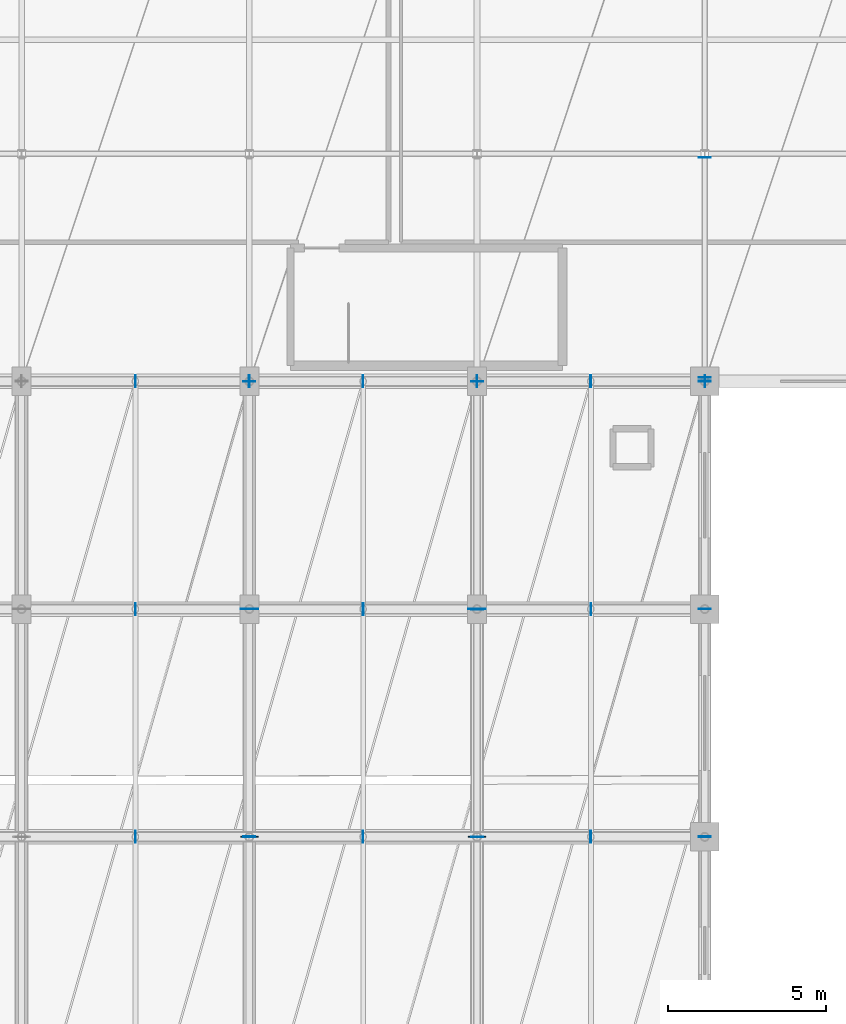
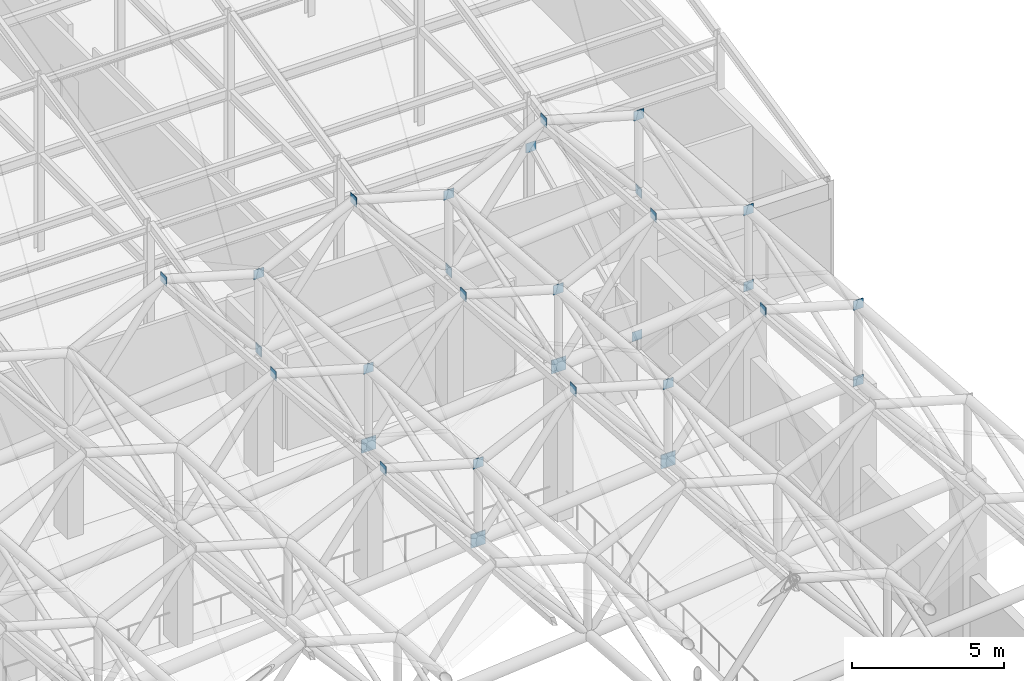
# One storey, part 82 of 113: 29 plates.
"""IFC4 building model written with IfcOpenShell, lengths in metres."""

from ifc_helpers import new_model, si_unit, direction, frame, origin, origin_2d, place, context, subcontext, project, spatial, rectangle, extrude, material, layer, layer_set, type_object, element, save


model = new_model("IFC4")

# Units and contexts
model_context = context("Model", 3, precision=1e-05, world=origin(), true_north=direction((0.0, 1.0)))
body_context = subcontext(model_context, "Body", "Model", "MODEL_VIEW")
ifc_project = project(units=[si_unit("LENGTHUNIT", "METRE"), si_unit("AREAUNIT", "SQUARE_METRE"), si_unit("VOLUMEUNIT", "CUBIC_METRE"), si_unit("PLANEANGLEUNIT", "RADIAN"), si_unit("MASSUNIT", "GRAM", prefix="KILO")], contexts=[model_context])

# Site, building, storey
site_placement = place(None, origin())
site = spatial("IfcSite", under=ifc_project, at=site_placement, CompositionType="ELEMENT")
building_placement = place(site_placement, origin())
building = spatial("IfcBuilding", under=site, at=building_placement, Name="Carrowvane Square Congress Hotel", CompositionType="ELEMENT")
storey_placement = place(building_placement, frame((0.0, 0.0, 15.0)))
storey = spatial("IfcBuildingStorey", under=building, at=storey_placement, Name="L03", CompositionType="ELEMENT", Elevation=15.0)

# Plates
ifc_material_1 = material(Name="Steel S355", Category="steel")
ifc_layer_1 = layer(ifc_material_1, 0.02001953125)
ifc_layer_set_1 = layer_set([ifc_layer_1], Name="Steel S355")
plate_type_1 = type_object("IfcPlateType", Name="PLT-GUS-20", PredefinedType="SHEET", material=ifc_layer_set_1)
for number, where, z_axis, x_axis, name in (
    (1, (47.60009765625, 48.60009765625, 5.001953125), (0.0, 0.0, 1.0), (1.0, 0.0, 0.0), "Space-frame truss node gusset SN-30"),
    (2, (54.800048828125, 48.60009765625, 5.6591796875), (0.0, 0.0, 1.0), (1.0, 0.0, 0.0), "Space-frame truss node gusset SN-36"),
):
    element("IfcPlate", number, at=place(storey_placement, frame(where, z_axis=z_axis, x_axis=x_axis)), inside=storey, type_object=plate_type_1, Name=name, PredefinedType="SHEET", context=body_context, shape_type="SweptSolid", body=[
        extrude(rectangle(XDim=0.550048828125, YDim=0.02001953125, at=origin_2d()), origin(), (0.0, 0.0, 1.0), 0.550048828125),
    ])
for number, where, z_axis, x_axis, name in (
    (3, (47.60009765625, 55.800048828125, 7.565673828125), (0.0, 0.0, 1.0), (1.0, 0.0, 0.0), "L03 brace connection end plate 54"),
    (4, (54.800048828125, 41.39990234375, 9.36572265625), (0.0, 0.0, 1.0), (1.0, 0.0, 0.0), "L03 brace connection end plate 60"),
    (5, (62.0, 41.39990234375, 10.02294921875), (0.0, 0.0, 1.0), (1.0, 0.0, 0.0), "L03 brace connection end plate 72"),
    (6, (62.0, 48.60009765625, 6.4013671875), (0.0, 0.0, 1.0), (1.0, 0.0, 0.0), "L03 brace connection end plate 75"),
):
    element("IfcPlate", number, at=place(storey_placement, frame(where, z_axis=z_axis, x_axis=x_axis)), inside=storey, type_object=plate_type_1, Name=name, PredefinedType="SHEET", context=body_context, shape_type="SweptSolid", body=[
        extrude(rectangle(XDim=0.3798828125, YDim=0.02001953125, at=origin_2d()), origin(), (0.0, 0.0, 1.0), 0.3798828125),
    ])
for number, where, z_axis, x_axis, name in (
    (7, (51.199951171875, 41.39990234375, 10.397216796875), (0.0, 0.0, 1.0), (1.0, 0.0, 0.0), "L03 brace connection end plate 117"),
    (8, (44.0, 48.60009765625, 9.168701171875), (0.0, 0.0, 1.0), (1.0, 0.0, 0.0), "L03 brace connection end plate 123"),
    (9, (44.0, 55.800048828125, 8.59716796875), (0.0, 0.0, 1.0), (1.0, 0.0, 0.0), "L03 brace connection end plate 135"),
    (10, (54.800048828125, 55.800048828125, 5.1728515625), (0.0, 0.0, 1.0), (1.0, 0.0, 0.0), "L03 brace connection end plate 138"),
):
    element("IfcPlate", number, at=place(storey_placement, frame(where, z_axis=z_axis, x_axis=x_axis)), inside=storey, type_object=plate_type_1, Name=name, PredefinedType="SHEET", context=body_context, shape_type="SweptSolid", body=[
        extrude(rectangle(XDim=0.02001953125, YDim=0.3798828125, at=origin_2d()), origin(), (0.0, 0.0, 1.0), 0.3798828125),
    ])
plate_1_placement = place(storey_placement, frame((62.0, 62.8798828125, 3.300048828125), z_axis=(0.0, 0.0, 1.0), x_axis=(1.0, 0.0, 0.0)))
element("IfcPlate", 11, at=plate_1_placement, inside=storey, type_object=plate_type_1, Name="L03 brace connection end plate 282", PredefinedType="SHEET", context=body_context, shape_type="SweptSolid", body=[
    extrude(rectangle(XDim=0.3798828125, YDim=0.02001953125, at=origin_2d()), origin(), (0.0, 0.0, 1.0), 0.3798828125),
])
ifc_material_2 = material(Name="Steel S355", Category="steel")
ifc_layer_2 = layer(ifc_material_2, 0.030029296875)
ifc_layer_set_2 = layer_set([ifc_layer_2], Name="Steel S355")
plate_type_2 = type_object("IfcPlateType", Name="PLT-GUS-30", PredefinedType="USERDEFINED", material=ifc_layer_set_2)
for number, where, z_axis, x_axis, name in (
    (12, (47.60009765625, 41.39990234375, 8.708740234375), (0.0, 0.0, 1.0), (1.0, 0.0, 0.0), "L03 brace connection end plate 52"),
    (13, (54.800048828125, 48.60009765625, 8.79443359375), (0.0, 0.0, 1.0), (1.0, 0.0, 0.0), "L03 brace connection end plate 61"),
    (14, (62.0, 41.39990234375, 6.972900390625), (0.0, 0.0, 1.0), (1.0, 0.0, 0.0), "L03 brace connection end plate 73"),
    (15, (62.0, 55.800048828125, 8.880126953125), (0.0, 0.0, 1.0), (1.0, 0.0, 0.0), "L03 brace connection end plate 76"),
):
    element("IfcPlate", number, at=place(storey_placement, frame(where, z_axis=z_axis, x_axis=x_axis)), inside=storey, type_object=plate_type_2, Name=name, ObjectType="GUSSET PLATE", PredefinedType="USERDEFINED", context=body_context, shape_type="SweptSolid", body=[
        extrude(rectangle(XDim=0.3798828125, YDim=0.030029296875, at=origin_2d()), origin(), (0.0, 0.0, 1.0), 0.3798828125),
    ])
for number, where, z_axis, x_axis, name in (
    (16, (58.39990234375, 41.39990234375, 11.054443359375), (0.0, 0.0, 1.0), (1.0, 0.0, 0.0), "L03 brace connection end plate 118"),
    (17, (51.199951171875, 48.60009765625, 9.82568359375), (0.0, 0.0, 1.0), (1.0, 0.0, 0.0), "L03 brace connection end plate 124"),
    (18, (47.60009765625, 55.800048828125, 4.515869140625), (0.0, 0.0, 1.0), (1.0, 0.0, 0.0), "L03 brace connection end plate 136"),
    (19, (58.39990234375, 55.800048828125, 9.911376953125), (0.0, 0.0, 1.0), (1.0, 0.0, 0.0), "L03 brace connection end plate 139"),
):
    element("IfcPlate", number, at=place(storey_placement, frame(where, z_axis=z_axis, x_axis=x_axis)), inside=storey, type_object=plate_type_2, Name=name, ObjectType="GUSSET PLATE", PredefinedType="USERDEFINED", context=body_context, shape_type="SweptSolid", body=[
        extrude(rectangle(XDim=0.030029296875, YDim=0.3798828125, at=origin_2d()), origin(), (0.0, 0.0, 1.0), 0.3798828125),
    ])
ifc_material_3 = material(Name="Steel S355", Category="steel")
ifc_layer_3 = layer(ifc_material_3, 0.0400390625)
ifc_layer_set_3 = layer_set([ifc_layer_3], Name="Steel S355")
plate_type_3 = type_object("IfcPlateType", Name="PLT-GUS-40", PredefinedType="USERDEFINED", material=ifc_layer_set_3)
for number, where, z_axis, x_axis, name in (
    (20, (47.60009765625, 41.39990234375, 5.57373046875), (0.0, 0.0, 1.0), (1.0, 0.0, 0.0), "Space-frame truss node gusset SN-29"),
    (21, (54.800048828125, 41.39990234375, 6.23046875), (0.0, 0.0, 1.0), (1.0, 0.0, 0.0), "Space-frame truss node gusset SN-35"),
):
    element("IfcPlate", number, at=place(storey_placement, frame(where, z_axis=z_axis, x_axis=x_axis)), inside=storey, type_object=plate_type_3, Name=name, ObjectType="GUSSET PLATE", PredefinedType="USERDEFINED", context=body_context, shape_type="SweptSolid", body=[
        extrude(rectangle(XDim=0.550048828125, YDim=0.0400390625, at=origin_2d()), origin(), (0.0, 0.0, 1.0), 0.550048828125),
    ])
ifc_material_4 = material(Name="Steel S355", Category="steel")
ifc_layer_4 = layer(ifc_material_4, 0.01611328125)
ifc_layer_set_4 = layer_set([ifc_layer_4], Name="Steel S355")
plate_type_4 = type_object("IfcPlateType", Name="PLT-STF-16", PredefinedType="USERDEFINED", material=ifc_layer_set_4)
for number, where, z_axis, x_axis, name in (
    (22, (47.60009765625, 48.60009765625, 8.13720703125), (0.0, 0.0, 1.0), (1.0, 0.0, 0.0), "L03 brace connection end plate 53"),
    (23, (54.800048828125, 55.800048828125, 8.222900390625), (0.0, 0.0, 1.0), (1.0, 0.0, 0.0), "L03 brace connection end plate 62"),
    (24, (62.0, 48.60009765625, 9.451416015625), (0.0, 0.0, 1.0), (1.0, 0.0, 0.0), "L03 brace connection end plate 74"),
):
    element("IfcPlate", number, at=place(storey_placement, frame(where, z_axis=z_axis, x_axis=x_axis)), inside=storey, type_object=plate_type_4, Name=name, ObjectType="STIFFENER PLATE", PredefinedType="USERDEFINED", context=body_context, shape_type="SweptSolid", body=[
        extrude(rectangle(XDim=0.3798828125, YDim=0.01611328125, at=origin_2d()), origin(), (0.0, 0.0, 1.0), 0.3798828125),
    ])
for number, where, z_axis, x_axis, name in (
    (25, (44.0, 41.39990234375, 9.739990234375), (0.0, 0.0, 1.0), (1.0, 0.0, 0.0), "L03 brace connection end plate 116"),
    (26, (58.39990234375, 48.60009765625, 10.48291015625), (0.0, 0.0, 1.0), (1.0, 0.0, 0.0), "L03 brace connection end plate 125"),
    (27, (51.199951171875, 55.800048828125, 9.25439453125), (0.0, 0.0, 1.0), (1.0, 0.0, 0.0), "L03 brace connection end plate 137"),
    (28, (62.0, 55.800048828125, 5.830078125), (0.0, 0.0, 1.0), (1.0, 0.0, 0.0), "L03 brace connection end plate 140"),
):
    element("IfcPlate", number, at=place(storey_placement, frame(where, z_axis=z_axis, x_axis=x_axis)), inside=storey, type_object=plate_type_4, Name=name, ObjectType="STIFFENER PLATE", PredefinedType="USERDEFINED", context=body_context, shape_type="SweptSolid", body=[
        extrude(rectangle(XDim=0.01611328125, YDim=0.3798828125, at=origin_2d()), origin(), (0.0, 0.0, 1.0), 0.3798828125),
    ])
plate_2_placement = place(storey_placement, frame((62.0, 55.919921875, -0.0400390625), z_axis=(0.0, 0.0, 1.0), x_axis=(1.0, 0.0, 0.0)))
element("IfcPlate", 29, at=plate_2_placement, inside=storey, type_object=plate_type_4, Name="L03 brace connection end plate 281", ObjectType="STIFFENER PLATE", PredefinedType="USERDEFINED", context=body_context, shape_type="SweptSolid", body=[
    extrude(rectangle(XDim=0.3798828125, YDim=0.01611328125, at=origin_2d()), origin(), (0.0, 0.0, 1.0), 0.3798828125),
])

save(model, "model.ifc")
